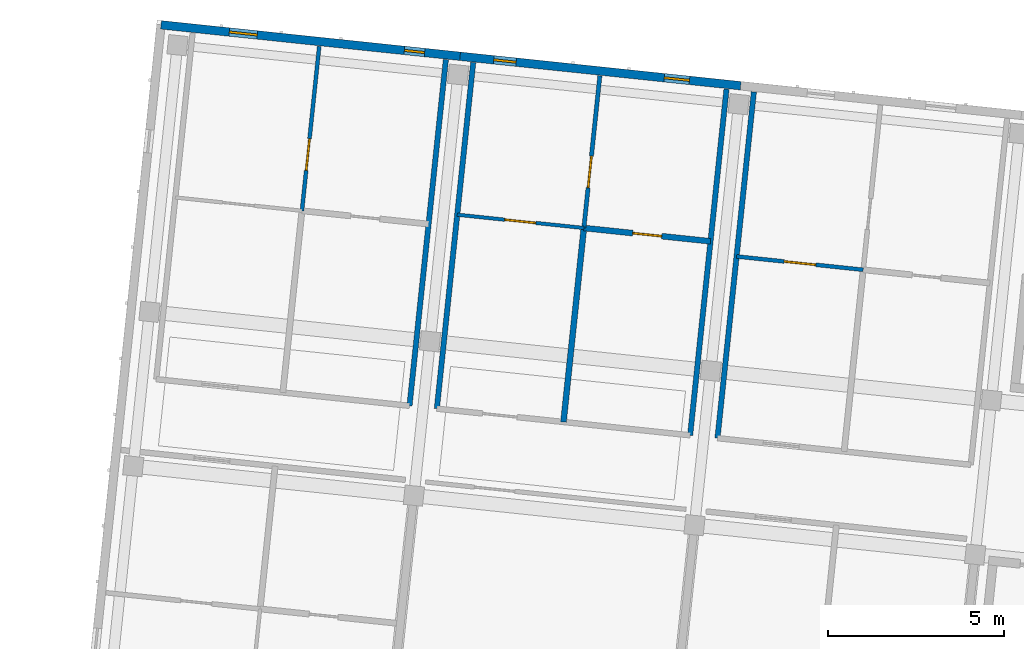
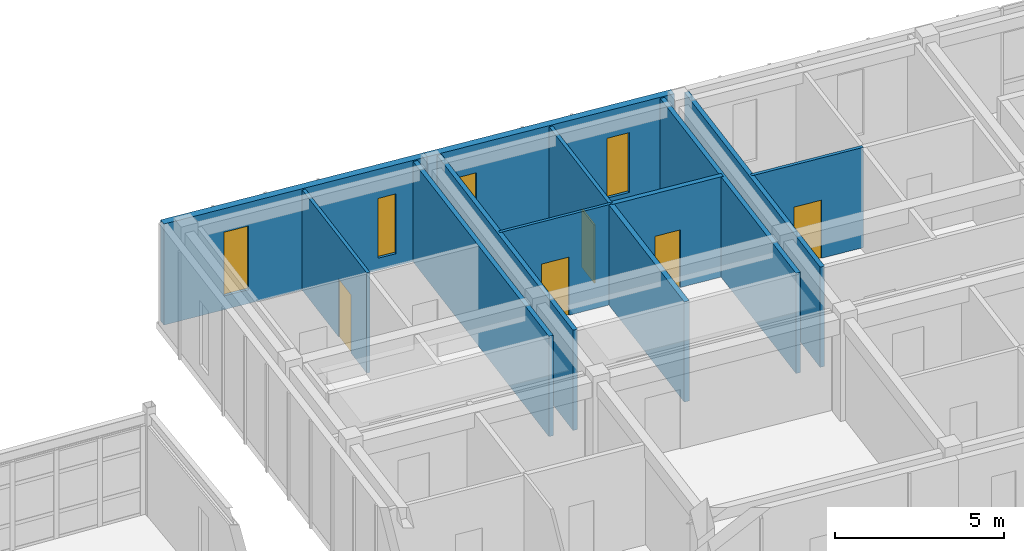
# One storey, part 99 of 150: 12 walls, 5 doors, 4 windows, 9 openings.
"""IFC4 building model written with IfcOpenShell, lengths in metres."""

from ifc_helpers import new_model, si_unit, direction, frame, frame_2d, origin, place, context, subcontext, project, spatial, rectangle, extrude, material, layer, layer_set, type_object, element, fill, save


model = new_model("IFC4")

# Units and contexts
model_context = context("Model", 3, precision=1e-05, world=origin(), true_north=direction((0.0, 1.0)))
body_context = subcontext(model_context, "Body", "Model", "MODEL_VIEW")
ifc_project = project(units=[si_unit("LENGTHUNIT", "METRE"), si_unit("AREAUNIT", "SQUARE_METRE"), si_unit("VOLUMEUNIT", "CUBIC_METRE"), si_unit("PLANEANGLEUNIT", "RADIAN"), si_unit("MASSUNIT", "GRAM", prefix="KILO")], contexts=[model_context])

# Site, building, storey
site_placement = place(None, origin())
site = spatial("IfcSite", under=ifc_project, at=site_placement, CompositionType="ELEMENT")
building_placement = place(site_placement, origin())
building = spatial("IfcBuilding", under=site, at=building_placement, Name="Kestramere Prow Commons", CompositionType="ELEMENT")
storey_placement = place(building_placement, frame((0.0, 0.0, 4.5)))
storey = spatial("IfcBuildingStorey", under=building, at=storey_placement, Name="L01", CompositionType="ELEMENT", Elevation=4.5)

# Wall, openings, windows
ifc_material_1 = material(Name="Fluoropolymer Standing-Seam Zinc-Aluminium Cladding", Category="aluminium")
ifc_layer_1 = layer(ifc_material_1, 0.239990234375)
ifc_layer_set_1 = layer_set([ifc_layer_1], Name="Fluoropolymer Standing-Seam Zinc-Aluminium Cladding")
wall_type_1 = type_object("IfcWallType", Name="EW-SEAM-240", PredefinedType="SOLIDWALL", material=ifc_layer_set_1)
wall_1_placement = place(storey_placement, frame((111.58154296875, 114.86962890625, 0.0), z_axis=(0.0, 0.0, 1.0), x_axis=(0.994521760736, -0.104529744196, 0.0)))
wall_1 = element("IfcWall", 1, at=wall_1_placement, inside=storey, type_object=wall_type_1, Name="Block B L01 North Standing-Seam Wall 1", PredefinedType="SOLIDWALL", context=body_context, shape_type="SweptSolid", body=[
    extrude(rectangle(XDim=8.52490234375, YDim=0.239990234375, at=frame_2d((4.262451171875, 0.0))), origin(), (0.0, 0.0, 1.0), 3.64990234375),
])
opening_1_placement = place(wall_1_placement, frame((1.945068359375, 0.0, 0.5)))
opening_1 = element("IfcOpeningElement", 2, at=opening_1_placement, cuts=wall_1, Name="Opening WN-12", PredefinedType="OPENING", context=body_context, shape_type="SweptSolid", body=[
    extrude(rectangle(XDim=0.800048828125, YDim=2.300048828125, at=frame_2d((0.39990234375, 1.14990234375))), frame((0.0, 0.135009765625, 0.0), z_axis=(0.0, -1.0, 0.0), x_axis=(1.0, 0.0, 0.0)), (0.0, 0.0, 1.0), 0.27001953125),
])
opening_2_placement = place(wall_1_placement, frame((6.935791015625, 0.0, 0.43994140625)))
opening_2 = element("IfcOpeningElement", 3, at=opening_2_placement, cuts=wall_1, Name="Opening WN-01", PredefinedType="OPENING", context=body_context, shape_type="SweptSolid", body=[
    extrude(rectangle(XDim=0.580078125, YDim=2.159912109375, at=frame_2d((0.2900390625, 1.080078125))), frame((0.0, 0.135009765625, 0.0), z_axis=(0.0, -1.0, 0.0), x_axis=(1.0, 0.0, 0.0)), (0.0, 0.0, 1.0), 0.27001953125),
])
ifc_material_2 = material(Name="Low-E Laminated Double Glazing", Category="glass")
window_type_1 = type_object("IfcWindowType", Name="WN-NAR-580A", PartitioningType="SINGLE_PANEL", PredefinedType="WINDOW", material=ifc_material_2)
window_1_placement = place(opening_2_placement, origin())
window_1 = element("IfcWindow", 4, at=window_1_placement, inside=storey, type_object=window_type_1, Name="WN-B-L01-N-0-1", OverallHeight=2.159912109375, OverallWidth=0.580078125, PartitioningType="SINGLE_PANEL", PredefinedType="WINDOW", context=body_context, shape_type="SweptSolid", body=[
    extrude(rectangle(XDim=0.580078125, YDim=2.159912109375, at=frame_2d((0.2900390625, 1.080078125))), frame((0.0, 0.030029296875, 0.0), z_axis=(0.0, -1.0, 0.0), x_axis=(1.0, 0.0, 0.0)), (0.0, 0.0, 1.0), 0.06005859375),
])
fill(opening_2, window_1)
window_type_2 = type_object("IfcWindowType", Name="WN-NAR-800A", PartitioningType="SINGLE_PANEL", PredefinedType="WINDOW", material=ifc_material_2)
window_2_placement = place(opening_1_placement, origin())
window_2 = element("IfcWindow", 5, at=window_2_placement, inside=storey, type_object=window_type_2, Name="WN-B-L01-N-0-0", OverallHeight=2.300048828125, OverallWidth=0.800048828125, PartitioningType="SINGLE_PANEL", PredefinedType="WINDOW", context=body_context, shape_type="SweptSolid", body=[
    extrude(rectangle(XDim=0.800048828125, YDim=2.300048828125, at=frame_2d((0.39990234375, 1.14990234375))), frame((0.0, 0.030029296875, 0.0), z_axis=(0.0, -1.0, 0.0), x_axis=(1.0, 0.0, 0.0)), (0.0, 0.0, 1.0), 0.06005859375),
])
fill(opening_1, window_2)

wall_2_placement = place(storey_placement, frame((120.059814453125, 113.978515625, 0.0), z_axis=(0.0, 0.0, 1.0), x_axis=(0.994522329422, -0.104524333444, 0.0)))
wall_2 = element("IfcWall", 6, at=wall_2_placement, inside=storey, type_object=wall_type_1, Name="Block B L01 North Standing-Seam Wall 2", PredefinedType="SOLIDWALL", context=body_context, shape_type="SweptSolid", body=[
    extrude(rectangle(XDim=7.999755859375, YDim=0.239990234375, at=frame_2d((4.0, 0.0))), origin(), (0.0, 0.0, 1.0), 3.64990234375),
])
opening_3_placement = place(wall_2_placement, frame((0.9599609375, 0.0, 0.43994140625)))
opening_3 = element("IfcOpeningElement", 7, at=opening_3_placement, cuts=wall_2, Name="Opening WN-04", PredefinedType="OPENING", context=body_context, shape_type="SweptSolid", body=[
    extrude(rectangle(XDim=0.639892578125, YDim=2.179931640625, at=frame_2d((0.31982421875, 1.08984375))), frame((0.0, 0.135009765625, 0.0), z_axis=(0.0, -1.0, 0.0), x_axis=(1.0, 0.0, 0.0)), (0.0, 0.0, 1.0), 0.27001953125),
])
opening_4_placement = place(wall_2_placement, frame((5.820068359375, 0.0, 0.5)))
opening_4 = element("IfcOpeningElement", 8, at=opening_4_placement, cuts=wall_2, Name="Opening WN-08", PredefinedType="OPENING", context=body_context, shape_type="SweptSolid", body=[
    extrude(rectangle(XDim=0.719970703125, YDim=2.159912109375, at=frame_2d((0.35986328125, 1.080078125))), frame((0.0, 0.135009765625, 0.0), z_axis=(0.0, -1.0, 0.0), x_axis=(1.0, 0.0, 0.0)), (0.0, 0.0, 1.0), 0.27001953125),
])
window_type_3 = type_object("IfcWindowType", Name="WN-NAR-640A", PartitioningType="SINGLE_PANEL", PredefinedType="WINDOW", material=ifc_material_2)
window_3_placement = place(opening_3_placement, origin())
window_3 = element("IfcWindow", 9, at=window_3_placement, inside=storey, type_object=window_type_3, Name="WN-B-L01-N-1-0", OverallHeight=2.179931640625, OverallWidth=0.639892578125, PartitioningType="SINGLE_PANEL", PredefinedType="WINDOW", context=body_context, shape_type="SweptSolid", body=[
    extrude(rectangle(XDim=0.639892578125, YDim=2.179931640625, at=frame_2d((0.31982421875, 1.08984375))), frame((0.0, 0.030029296875, 0.0), z_axis=(0.0, -1.0, 0.0), x_axis=(1.0, 0.0, 0.0)), (0.0, 0.0, 1.0), 0.06005859375),
])
fill(opening_3, window_3)
window_type_4 = type_object("IfcWindowType", Name="WN-NAR-720A", PartitioningType="SINGLE_PANEL", PredefinedType="WINDOW", material=ifc_material_2)
window_4_placement = place(opening_4_placement, origin())
window_4 = element("IfcWindow", 10, at=window_4_placement, inside=storey, type_object=window_type_4, Name="WN-B-L01-N-1-1", OverallHeight=2.159912109375, OverallWidth=0.719970703125, PartitioningType="SINGLE_PANEL", PredefinedType="WINDOW", context=body_context, shape_type="SweptSolid", body=[
    extrude(rectangle(XDim=0.719970703125, YDim=2.159912109375, at=frame_2d((0.35986328125, 1.080078125))), frame((0.0, 0.030029296875, 0.0), z_axis=(0.0, -1.0, 0.0), x_axis=(1.0, 0.0, 0.0)), (0.0, 0.0, 1.0), 0.06005859375),
])
fill(opening_4, window_4)

# Wall, opening, door
ifc_material_3 = material(Name="Gypsum Acoustic Drywall")
ifc_layer_2 = layer(ifc_material_3, 0.10009765625)
ifc_layer_set_2 = layer_set([ifc_layer_2], Name="Gypsum Acoustic Drywall")
wall_type_2 = type_object("IfcWallType", Name="W-PART-100", PredefinedType="PARTITIONING", material=ifc_layer_set_2)
wall_3_placement = place(storey_placement, frame((119.97998046875, 109.4873046875, 0.0), z_axis=(0.0, 0.0, 1.0), x_axis=(0.994518785821, -0.104558044398, 0.0)))
wall_3 = element("IfcWall", 11, at=wall_3_placement, inside=storey, type_object=wall_type_2, Name="Interior Partition PW-B-L01-MIDN1-1", PredefinedType="PARTITIONING", context=body_context, shape_type="SweptSolid", body=[
    extrude(rectangle(XDim=3.60986328125, YDim=0.10009765625, at=frame_2d((1.804931640625, 0.0))), origin(), (0.0, 0.0, 1.0), 3.6201171875),
])
opening_5_placement = place(wall_3_placement, frame((1.35498046875, 0.0, 0.0)))
opening_5 = element("IfcOpeningElement", 12, at=opening_5_placement, cuts=wall_3, Name="Opening ID-10", PredefinedType="OPENING", context=body_context, shape_type="SweptSolid", body=[
    extrude(rectangle(XDim=0.8798828125, YDim=2.10009765625, at=frame_2d((0.43994140625, 1.050048828125))), frame((0.0, 0.06494140625, 0.0), z_axis=(0.0, -1.0, 0.0), x_axis=(1.0, 0.0, 0.0)), (0.0, 0.0, 1.0), 0.130126953125),
])
ifc_material_4 = material(Name="Engineered Timber Bedroom Door", Category="wood")
door_type_1 = type_object("IfcDoorType", Name="D-RM-03", OperationType="NOTDEFINED", PredefinedType="DOOR", material=ifc_material_4)
door_1_placement = place(opening_5_placement, origin())
door_1 = element("IfcDoor", 13, at=door_1_placement, inside=storey, type_object=door_type_1, Name="Interior Door DR-B-L01-KL-N1", OperationType="SINGLE_SWING_LEFT", OverallHeight=2.10009765625, OverallWidth=0.8798828125, PredefinedType="DOOR", context=body_context, shape_type="SweptSolid", body=[
    extrude(rectangle(XDim=0.8798828125, YDim=2.10009765625, at=frame_2d((0.43994140625, 1.050048828125))), frame((0.0, 0.02490234375, 0.0), z_axis=(0.0, -1.0, 0.0), x_axis=(1.0, 0.0, 0.0)), (0.0, 0.0, 1.0), 0.050048828125),
])
fill(opening_5, door_1)

ifc_layer_3 = layer(ifc_material_3, 0.110107421875)
ifc_layer_set_3 = layer_set([ifc_layer_3], Name="Gypsum Acoustic Drywall")
wall_type_3 = type_object("IfcWallType", Name="W-PART-110", PredefinedType="PARTITIONING", material=ifc_layer_set_3)
wall_4_placement = place(storey_placement, frame((115.577392578125, 109.59814453125, 0.0), z_axis=(0.0, 0.0, 1.0), x_axis=(0.104527618124, 0.994521984196, 0.0)))
wall_4 = element("IfcWall", 14, at=wall_4_placement, inside=storey, type_object=wall_type_3, Name="Interior Partition PW-B-L01-LB-N0", PredefinedType="PARTITIONING", context=body_context, shape_type="SweptSolid", body=[
    extrude(rectangle(XDim=4.68994140625, YDim=0.110107421875, at=frame_2d((2.344970703125, 0.0))), origin(), (0.0, 0.0, 1.0), 3.6201171875),
])
opening_6_placement = place(wall_4_placement, frame((1.14990234375, 0.0, 0.0)))
opening_6 = element("IfcOpeningElement", 15, at=opening_6_placement, cuts=wall_4, Name="Opening ID-08", PredefinedType="OPENING", context=body_context, shape_type="SweptSolid", body=[
    extrude(rectangle(XDim=0.89990234375, YDim=2.10009765625, at=frame_2d((0.449951171875, 1.050048828125))), frame((0.0, 0.070068359375, 0.0), z_axis=(0.0, -1.0, 0.0), x_axis=(1.0, 0.0, 0.0)), (0.0, 0.0, 1.0), 0.14013671875),
])
ifc_material_5 = material(Name="Engineered Timber Flush Door", Category="wood")
door_type_2 = type_object("IfcDoorType", Name="D-RM-01", OperationType="NOTDEFINED", PredefinedType="DOOR", material=ifc_material_5)
door_2_placement = place(opening_6_placement, origin())
door_2 = element("IfcDoor", 16, at=door_2_placement, inside=storey, type_object=door_type_2, Name="Interior Door DR-B-L01-BED-N0", OperationType="SINGLE_SWING_LEFT", OverallHeight=2.10009765625, OverallWidth=0.89990234375, PredefinedType="DOOR", context=body_context, shape_type="SweptSolid", body=[
    extrude(rectangle(XDim=0.89990234375, YDim=2.10009765625, at=frame_2d((0.449951171875, 1.050048828125))), frame((0.0, 0.02490234375, 0.0), z_axis=(0.0, -1.0, 0.0), x_axis=(1.0, 0.0, 0.0)), (0.0, 0.0, 1.0), 0.050048828125),
])
fill(opening_6, door_2)

wall_5_placement = place(storey_placement, frame((127.8994140625, 108.302978515625, 0.0), z_axis=(0.0, 0.0, 1.0), x_axis=(0.994519525119, -0.104551012229, 0.0)))
wall_5 = element("IfcWall", 17, at=wall_5_placement, inside=storey, type_object=wall_type_3, Name="Interior Partition PW-B-L01-MIDN1-2", PredefinedType="PARTITIONING", context=body_context, shape_type="SweptSolid", body=[
    extrude(rectangle(XDim=3.610107421875, YDim=0.110107421875, at=frame_2d((1.80517578125, 0.0))), origin(), (0.0, 0.0, 1.0), 3.6201171875),
])
opening_7_placement = place(wall_5_placement, frame((1.35498046875, 0.0, 0.0)))
opening_7 = element("IfcOpeningElement", 18, at=opening_7_placement, cuts=wall_5, Name="Opening ID-08", PredefinedType="OPENING", context=body_context, shape_type="SweptSolid", body=[
    extrude(rectangle(XDim=0.89990234375, YDim=2.10009765625, at=frame_2d((0.449951171875, 1.050048828125))), frame((0.0, 0.070068359375, 0.0), z_axis=(0.0, -1.0, 0.0), x_axis=(1.0, 0.0, 0.0)), (0.0, 0.0, 1.0), 0.14013671875),
])
door_3_placement = place(opening_7_placement, origin())
door_3 = element("IfcDoor", 19, at=door_3_placement, inside=storey, type_object=door_type_2, Name="Interior Door DR-B-L01-KL-N2", OperationType="SINGLE_SWING_LEFT", OverallHeight=2.10009765625, OverallWidth=0.89990234375, PredefinedType="DOOR", context=body_context, shape_type="SweptSolid", body=[
    extrude(rectangle(XDim=0.89990234375, YDim=2.10009765625, at=frame_2d((0.449951171875, 1.050048828125))), frame((0.0, 0.02490234375, 0.0), z_axis=(0.0, -1.0, 0.0), x_axis=(1.0, 0.0, 0.0)), (0.0, 0.0, 1.0), 0.050048828125),
])
fill(opening_7, door_3)

ifc_material_6 = material(Name="Lightweight Blockwork and Plaster", Category="masonry")
ifc_layer_4 = layer(ifc_material_6, 0.1201171875)
ifc_layer_set_4 = layer_set([ifc_layer_4], Name="Lightweight Blockwork and Plaster")
wall_type_4 = type_object("IfcWallType", Name="W-PART-120", PredefinedType="PARTITIONING", material=ifc_layer_set_4)
wall_6_placement = place(storey_placement, frame((123.570068359375, 109.10986328125, 0.0), z_axis=(0.0, 0.0, 1.0), x_axis=(0.104514950243, 0.994523315552, 0.0)))
wall_6 = element("IfcWall", 20, at=wall_6_placement, inside=storey, type_object=wall_type_4, Name="Interior Partition PW-B-L01-LB-N1", PredefinedType="PARTITIONING", context=body_context, shape_type="SweptSolid", body=[
    extrude(rectangle(XDim=4.340087890625, YDim=0.1201171875, at=frame_2d((2.169921875, 0.0))), origin(), (0.0, 0.0, 1.0), 3.6201171875),
])
opening_8_placement = place(wall_6_placement, frame((1.14990234375, 0.0, 0.0)))
opening_8 = element("IfcOpeningElement", 21, at=opening_8_placement, cuts=wall_6, Name="Opening ID-08", PredefinedType="OPENING", context=body_context, shape_type="SweptSolid", body=[
    extrude(rectangle(XDim=0.89990234375, YDim=2.10009765625, at=frame_2d((0.449951171875, 1.050048828125))), frame((0.0, 0.074951171875, 0.0), z_axis=(0.0, -1.0, 0.0), x_axis=(1.0, 0.0, 0.0)), (0.0, 0.0, 1.0), 0.150146484375),
])
door_4_placement = place(opening_8_placement, origin())
door_4 = element("IfcDoor", 22, at=door_4_placement, inside=storey, type_object=door_type_2, Name="Interior Door DR-B-L01-BED-N1", OperationType="SINGLE_SWING_LEFT", OverallHeight=2.10009765625, OverallWidth=0.89990234375, PredefinedType="DOOR", context=body_context, shape_type="SweptSolid", body=[
    extrude(rectangle(XDim=0.89990234375, YDim=2.10009765625, at=frame_2d((0.449951171875, 1.050048828125))), frame((0.0, 0.02490234375, 0.0), z_axis=(0.0, -1.0, 0.0), x_axis=(1.0, 0.0, 0.0)), (0.0, 0.0, 1.0), 0.050048828125),
])
fill(opening_8, door_4)

# Walls
ifc_material_7 = material(Name="Masonry Compartment Wall", Category="masonry")
ifc_layer_5 = layer(ifc_material_7, 0.14990234375)
ifc_layer_set_5 = layer_set([ifc_layer_5], Name="Masonry Compartment Wall")
wall_type_5 = type_object("IfcWallType", Name="W-PART-150", PredefinedType="PARTITIONING", material=ifc_layer_set_5)
for number, where, z_axis, x_axis, name in (
    (23, (118.626220703125, 104.069091796875, 0.0), (0.0, 0.0, 1.0), (0.104508379977, 0.994524006002, 0.0), "Interior Partition PW-B-L01-NWR-0"),
    (24, (119.40185546875, 103.987548828125, 0.0), (0.0, 0.0, 1.0), (0.10453284543, 0.994521434775, 0.0), "Interior Partition PW-B-L01-NWL-1"),
    (25, (126.582275390625, 103.23291015625, 0.0), (0.0, 0.0, 1.0), (0.10453284543, 0.994521434775, 0.0), "Interior Partition PW-B-L01-NWR-1"),
    (26, (127.358154296875, 103.1513671875, 0.0), (0.0, 0.0, 1.0), (0.104508379977, 0.994524006002, 0.0), "Interior Partition PW-B-L01-NWL-2"),
):
    element("IfcWall", number, at=place(storey_placement, frame(where, z_axis=z_axis, x_axis=x_axis)), inside=storey, type_object=wall_type_5, Name=name, PredefinedType="PARTITIONING", context=body_context, shape_type="SweptSolid", body=[
        extrude(rectangle(XDim=9.869873046875, YDim=0.14990234375, at=frame_2d((4.93505859375, 0.0))), origin(), (0.0, 0.0, 1.0), 3.6201171875),
    ])

# Wall, opening, door
ifc_material_8 = material(Name="Waterproof Sanitary Masonry Wall", Category="masonry")
ifc_layer_6 = layer(ifc_material_8, 0.1650390625)
ifc_layer_set_6 = layer_set([ifc_layer_6], Name="Waterproof Sanitary Masonry Wall")
wall_type_6 = type_object("IfcWallType", Name="W-PLUMB-150", PredefinedType="PLUMBINGWALL", material=ifc_layer_set_6)
wall_7_placement = place(storey_placement, frame((123.570068359375, 109.10986328125, 0.0), z_axis=(0.0, 0.0, 1.0), x_axis=(0.994526554618, -0.104484123955, 0.0)))
wall_7 = element("IfcWall", 27, at=wall_7_placement, inside=storey, type_object=wall_type_6, Name="Interior Partition PW-B-L01-MIDN2-1", PredefinedType="PLUMBINGWALL", context=body_context, shape_type="SweptSolid", body=[
    extrude(rectangle(XDim=3.610107421875, YDim=0.1650390625, at=frame_2d((1.80517578125, 0.0))), origin(), (0.0, 0.0, 1.0), 3.6201171875),
])
opening_9_placement = place(wall_7_placement, frame((1.39501953125, 0.0, 0.0)))
opening_9 = element("IfcOpeningElement", 28, at=opening_9_placement, cuts=wall_7, Name="Opening ID-11", PredefinedType="OPENING", context=body_context, shape_type="SweptSolid", body=[
    extrude(rectangle(XDim=0.820068359375, YDim=2.080078125, at=frame_2d((0.41015625, 1.0400390625))), frame((0.0, 0.097412109375, 0.0), z_axis=(0.0, -1.0, 0.0), x_axis=(1.0, 0.0, 0.0)), (0.0, 0.0, 1.0), 0.195068359375),
])
ifc_material_9 = material(Name="Moisture-Resistant Timber Bathroom Door", Category="wood")
door_type_3 = type_object("IfcDoorType", Name="D-BT-01", OperationType="NOTDEFINED", PredefinedType="DOOR", material=ifc_material_9)
door_5_placement = place(opening_9_placement, origin())
door_5 = element("IfcDoor", 29, at=door_5_placement, inside=storey, type_object=door_type_3, Name="Interior Door DR-B-L01-BTH-N1", OperationType="SINGLE_SWING_RIGHT", OverallHeight=2.080078125, OverallWidth=0.820068359375, PredefinedType="DOOR", context=body_context, shape_type="SweptSolid", body=[
    extrude(rectangle(XDim=0.820068359375, YDim=2.080078125, at=frame_2d((0.41015625, 1.0400390625))), frame((0.0, 0.02490234375, 0.0), z_axis=(0.0, -1.0, 0.0), x_axis=(1.0, 0.0, 0.0)), (0.0, 0.0, 1.0), 0.050048828125),
])
fill(opening_9, door_5)

# Wall
wall_8_placement = place(storey_placement, frame((122.9921875, 103.610107421875, 0.0), z_axis=(0.0, 0.0, 1.0), x_axis=(0.104498634796, 0.994525030015, 0.0)))
element("IfcWall", 30, at=wall_8_placement, inside=storey, type_object=wall_type_6, Name="Interior Partition PW-B-L01-KB-N1", PredefinedType="PLUMBINGWALL", context=body_context, shape_type="SweptSolid", body=[
    extrude(rectangle(XDim=5.530029296875, YDim=0.1650390625, at=frame_2d((2.76513671875, 0.0))), origin(), (0.0, 0.0, 1.0), 3.6201171875),
])

save(model, "model.ifc")
